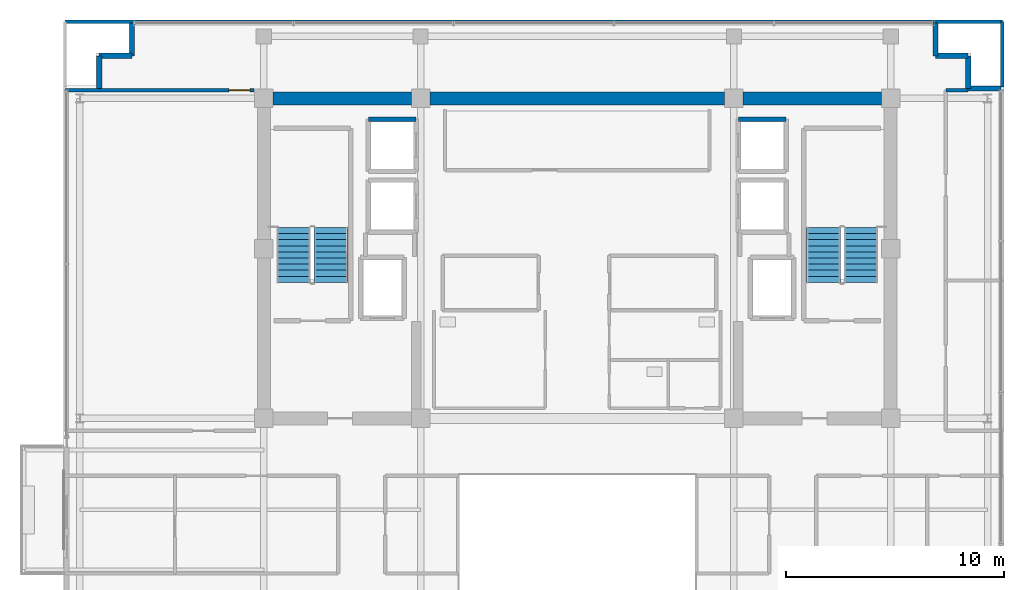
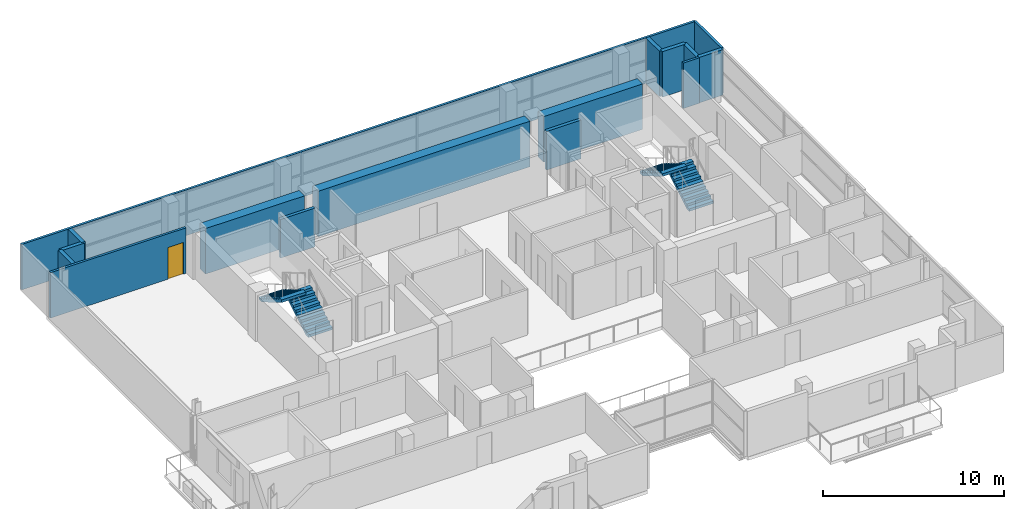
# One storey, part 18 of 22: 16 walls, 4 stair flights, 1 door, 1 opening, 2 elements without a shape of their own.
"""IFC4 building model written with IfcOpenShell, lengths in metres."""

from ifc_helpers import new_model, si_unit, direction, frame, frame_2d, origin, place, context, subcontext, project, spatial, polyline, rectangle, outline, extrude, source, transform, mapped, material, layer, layer_set, type_object, element, fill, aggregate, save


model = new_model("IFC4")

# Units and contexts
model_context = context("Model", 3, precision=1e-05, world=origin(), true_north=direction((0.0, 1.0)))
body_context = subcontext(model_context, "Body", "Model", "MODEL_VIEW")
ifc_project = project(units=[si_unit("LENGTHUNIT", "METRE"), si_unit("AREAUNIT", "SQUARE_METRE"), si_unit("VOLUMEUNIT", "CUBIC_METRE"), si_unit("PLANEANGLEUNIT", "RADIAN"), si_unit("MASSUNIT", "GRAM", prefix="KILO")], contexts=[model_context])

# Site, building, storey
site_placement = place(None, origin())
site = spatial("IfcSite", under=ifc_project, at=site_placement, CompositionType="ELEMENT")
building_placement = place(site_placement, origin())
building = spatial("IfcBuilding", under=site, at=building_placement, Name="Zarnakvel Exchange Tower", CompositionType="ELEMENT")
storey_placement = place(building_placement, frame((0.0, 0.0, 215.5)))
storey = spatial("IfcBuildingStorey", under=building, at=storey_placement, Name="L60", CompositionType="ELEMENT", Elevation=215.5)

# Walls
ifc_material_1 = material(Name="Concrete C50/60", Category="concrete")
ifc_layer_1 = layer(ifc_material_1, 0.60009765625)
ifc_layer_set_1 = layer_set([ifc_layer_1], Name="Concrete C50/60")
wall_type_1 = type_object("IfcWallType", Name="CW-C5", PredefinedType="SHEAR", material=ifc_layer_set_1)
wall_1_placement = place(storey_placement, frame((-13.97509765625, 13.5, 0.0), z_axis=(0.0, 0.0, 1.0), x_axis=(1.0, 0.0, 0.0)))
element("IfcWall", 1, at=wall_1_placement, inside=storey, type_object=wall_type_1, Name="L60 Rear Core Shear Wall N1 (CW-C5)", PredefinedType="SHEAR", context=body_context, shape_type="SweptSolid", body=[
    extrude(rectangle(XDim=6.35009765625, YDim=0.60009765625, at=frame_2d((3.175048828125, 0.0))), origin(), (0.0, 0.0, 1.0), 3.074951171875),
])
wall_2_placement = place(storey_placement, frame((-6.77490234375, 13.5, 0.0), z_axis=(0.0, 0.0, 1.0), x_axis=(1.0, 0.0, 0.0)))
element("IfcWall", 2, at=wall_2_placement, inside=storey, type_object=wall_type_1, Name="L60 Rear Core Shear Wall N2 (CW-C5)", PredefinedType="SHEAR", context=body_context, shape_type="SweptSolid", body=[
    extrude(rectangle(XDim=13.5498046875, YDim=0.60009765625, at=frame_2d((6.77490234375, 0.0))), origin(), (0.0, 0.0, 1.0), 3.074951171875),
])
wall_3_placement = place(storey_placement, frame((7.625, 13.5, 0.0), z_axis=(0.0, 0.0, 1.0), x_axis=(1.0, 0.0, 0.0)))
element("IfcWall", 3, at=wall_3_placement, inside=storey, type_object=wall_type_1, Name="L60 Rear Core Shear Wall N3 (CW-C5)", PredefinedType="SHEAR", context=body_context, shape_type="SweptSolid", body=[
    extrude(rectangle(XDim=6.35009765625, YDim=0.60009765625, at=frame_2d((3.175048828125, 0.0))), origin(), (0.0, 0.0, 1.0), 3.074951171875),
])
ifc_material_2 = material(Name="Precast concrete C40/50", Category="concrete")
ifc_layer_2 = layer(ifc_material_2, 0.239990234375)
ifc_layer_set_2 = layer_set([ifc_layer_2], Name="Precast concrete C40/50")
wall_type_2 = type_object("IfcWallType", Name="EW-02", PredefinedType="SOLIDWALL", material=ifc_layer_set_2)
for number, where, z_axis, x_axis, name in (
    (4, (-21.9599609375, 15.4599609375, 0.0), (0.0, 0.0, 1.0), (0.0, -1.0, 0.0), "L60 Exterior Precast Spandrel Wall EWC-L60-04 (EW-02)"),
    (5, (-20.4599609375, 15.4599609375, 0.0), (0.0, 0.0, 1.0), (-1.0, 0.0, 0.0), "L60 Exterior Precast Spandrel Wall EWC-L60-05 (EW-02)"),
    (6, (-20.4599609375, 16.9599609375, 0.0), (0.0, 0.0, 1.0), (0.0, -1.0, 0.0), "L60 Exterior Precast Spandrel Wall EWC-L60-06 (EW-02)"),
    (7, (16.4599609375, 15.4599609375, 0.0), (0.0, 0.0, 1.0), (0.0, 1.0, 0.0), "L60 Exterior Precast Spandrel Wall EWC-L60-07 (EW-02)"),
    (8, (17.9599609375, 15.4599609375, 0.0), (0.0, 0.0, 1.0), (-1.0, 0.0, 0.0), "L60 Exterior Precast Spandrel Wall EWC-L60-08 (EW-02)"),
    (9, (17.9599609375, 13.9599609375, 0.0), (0.0, 0.0, 1.0), (0.0, 1.0, 0.0), "L60 Exterior Precast Spandrel Wall EWC-L60-09 (EW-02)"),
    (10, (19.4599609375, 13.9599609375, 0.0), (0.0, 0.0, 1.0), (-1.0, 0.0, 0.0), "L60 Exterior Precast Spandrel Wall EWC-L60-10 (EW-02)"),
):
    element("IfcWall", number, at=place(storey_placement, frame(where, z_axis=z_axis, x_axis=x_axis)), inside=storey, type_object=wall_type_2, Name=name, PredefinedType="SOLIDWALL", context=body_context, shape_type="SweptSolid", body=[
        extrude(rectangle(XDim=1.5, YDim=0.239990234375, at=frame_2d((0.75, 0.0))), origin(), (0.0, 0.0, 1.0), 3.074951171875),
    ])

# Wall, opening, door
ifc_material_3 = material(Name="Fire-Rated Gypsum Stud Partition", Category="gypsum")
ifc_layer_3 = layer(ifc_material_3, 0.14990234375)
ifc_layer_set_3 = layer_set([ifc_layer_3], Name="Fire-Rated Gypsum Stud Partition")
wall_type_3 = type_object("IfcWallType", Name="PT-01", PredefinedType="PARTITIONING", material=ifc_layer_set_3)
wall_4_placement = place(storey_placement, frame((-23.530029296875, 13.8798828125, 0.0), z_axis=(0.0, 0.0, 1.0), x_axis=(1.0, 0.0, 0.0)))
wall_4 = element("IfcWall", 11, at=wall_4_placement, inside=storey, type_object=wall_type_3, Name="L60 Partition Wall PWALL-L60-064 (PT-01)", PredefinedType="PARTITIONING", context=body_context, shape_type="SweptSolid", body=[
    extrude(rectangle(XDim=8.68505859375, YDim=0.14990234375, at=frame_2d((4.342529296875, 0.0))), origin(), (0.0, 0.0, 1.0), 3.074951171875),
])
opening_placement = place(wall_4_placement, frame((7.52490234375, 0.0, 0.0)))
opening = element("IfcOpeningElement", 12, at=opening_placement, cuts=wall_4, Name="Opening D-L60-23", PredefinedType="OPENING", context=body_context, shape_type="SweptSolid", body=[
    extrude(rectangle(XDim=0.97998046875, YDim=2.14990234375, at=frame_2d((0.489990234375, 1.074951171875))), frame((0.0, 0.0849609375, 0.0), z_axis=(0.0, -1.0, 0.0), x_axis=(1.0, 0.0, 0.0)), (0.0, 0.0, 1.0), 0.169921875),
])
ifc_material_4 = material(Name="Timber Acoustic Veneer", Category="wood")
door_type = type_object("IfcDoorType", Name="DT-05", OperationType="NOTDEFINED", PredefinedType="DOOR", material=ifc_material_4)
shared_shape = source(origin(), body_context, "Body", "SweptSolid", [
    extrude(rectangle(XDim=0.97998046875, YDim=2.14990234375, at=frame_2d((0.489990234375, 1.074951171875))), frame((0.0, 0.02490234375, 0.0), z_axis=(0.0, -1.0, 0.0), x_axis=(1.0, 0.0, 0.0)), (0.0, 0.0, 1.0), 0.050048828125),
])
door_placement = place(opening_placement, origin())
door = element("IfcDoor", 13, at=door_placement, inside=storey, type_object=door_type, Name="L60 Settlement Office Door D-L60-23", OperationType="SINGLE_SWING_LEFT", OverallHeight=2.14990234375, OverallWidth=0.97998046875, PredefinedType="DOOR", context=body_context, shape_type="MappedRepresentation", body=[
    mapped(shared_shape, transform((0.0, 0.0, 0.0), x_axis=(1.0, 0.0, 0.0), y_axis=(0.0, 1.0, 0.0), z_axis=(0.0, 0.0, 1.0), scale=1.0)),
])
fill(opening, door)

# Walls
wall_5_placement = place(storey_placement, frame((16.929931640625, 13.8798828125, 0.0), z_axis=(0.0, 0.0, 1.0), x_axis=(1.0, 0.0, 0.0)))
element("IfcWall", 14, at=wall_5_placement, inside=storey, type_object=wall_type_3, Name="L60 Partition Wall PWALL-L60-070 (PT-01)", PredefinedType="PARTITIONING", context=body_context, shape_type="SweptSolid", body=[
    extrude(rectangle(XDim=1.030029296875, YDim=0.14990234375, at=frame_2d((0.51513671875, 0.0))), origin(), (0.0, 0.0, 1.0), 3.074951171875),
])
wall_6_placement = place(storey_placement, frame((-23.530029296875, 17.030029296875, 0.0), z_axis=(0.0, 0.0, 1.0), x_axis=(1.0, 0.0, 0.0)))
element("IfcWall", 15, at=wall_6_placement, inside=storey, type_object=wall_type_3, Name="L60 Partition Wall PWALL-L60-073 (PT-01)", PredefinedType="PARTITIONING", context=body_context, shape_type="SweptSolid", body=[
    extrude(rectangle(XDim=43.06005859375, YDim=0.14990234375, at=frame_2d((21.530029296875, 0.0))), origin(), (0.0, 0.0, 1.0), 3.074951171875),
])
wall_7_placement = place(storey_placement, frame((19.530029296875, 17.030029296875, 0.0), z_axis=(0.0, 0.0, 1.0), x_axis=(0.0, -1.0, 0.0)))
element("IfcWall", 16, at=wall_7_placement, inside=storey, type_object=wall_type_3, Name="L60 Partition Wall PWALL-L60-075 (PT-01)", PredefinedType="PARTITIONING", context=body_context, shape_type="SweptSolid", body=[
    extrude(rectangle(XDim=3.0, YDim=0.14990234375, at=frame_2d((1.5, 0.0))), origin(), (0.0, 0.0, 1.0), 3.074951171875),
])
ifc_material_5 = material(Name="Concrete C40/50", Category="concrete")
ifc_layer_4 = layer(ifc_material_5, 0.199951171875)
ifc_layer_set_4 = layer_set([ifc_layer_4], Name="Concrete C40/50")
wall_type_4 = type_object("IfcWallType", Name="SW-01", PredefinedType="SOLIDWALL", material=ifc_layer_set_4)
for number, where, z_axis, x_axis, name in (
    (17, (-9.60009765625, 12.550048828125, 0.0), (0.0, 0.0, 1.0), (1.0, 0.0, 0.0), "L60 PL-10 Hoistway Wall North"),
    (18, (7.39990234375, 12.550048828125, 0.0), (0.0, 0.0, 1.0), (1.0, 0.0, 0.0), "L60 PL-12 Hoistway Wall North"),
):
    element("IfcWall", number, at=place(storey_placement, frame(where, z_axis=z_axis, x_axis=x_axis)), inside=storey, type_object=wall_type_4, Name=name, PredefinedType="SOLIDWALL", context=body_context, shape_type="SweptSolid", body=[
        extrude(rectangle(XDim=2.2001953125, YDim=0.199951171875, at=frame_2d((1.10009765625, 0.0))), origin(), (0.0, 0.0, 1.0), 2.614990234375),
    ])

# Stair, stair flights
stair_type = type_object("IfcStairType", Name="STR-01", PredefinedType="HALF_TURN_STAIR", material=ifc_material_5)
stair_1_placement = place(storey_placement, origin())
stair_1 = element("IfcStair", 19, at=stair_1_placement, inside=storey, type_object=stair_type, Name="L60 Protected Core Exit Stair ST-01", PredefinedType="HALF_TURN_STAIR")
stair_flight_type = type_object("IfcStairFlightType", Name="FLT-01", PredefinedType="STRAIGHT", material=ifc_material_5)
stair_flight_1_placement = place(storey_placement, frame((-11.31494140625, 5.050048828125, 0.0), z_axis=(0.0, 0.0, 1.0), x_axis=(0.0, 1.0, 0.0)))
stair_flight_1 = element("IfcStairFlight", 20, at=stair_flight_1_placement, type_object=stair_flight_type, Name="ST-01 flight 1", NumberOfRisers=10, NumberOfTreads=9, PredefinedType="STRAIGHT", RiserHeight=0.165, TreadLength=0.28, context=body_context, shape_type="SweptSolid", body=[
    extrude(outline(polyline([(0.0, 0.0), (0.0, 0.1650390625), (0.280029296875, 0.1650390625), (0.280029296875, 0.330078125), (0.56005859375, 0.330078125), (0.56005859375, 0.4951171875), (0.840087890625, 0.4951171875), (0.840087890625, 0.659912109375), (1.1201171875, 0.659912109375), (1.1201171875, 0.824951171875), (1.39990234375, 0.824951171875), (1.39990234375, 0.989990234375), (1.679931640625, 0.989990234375), (1.679931640625, 1.155029296875), (1.9599609375, 1.155029296875), (1.9599609375, 1.320068359375), (2.239990234375, 1.320068359375), (2.239990234375, 1.485107421875), (2.52001953125, 1.485107421875), (2.52001953125, 1.64990234375), (2.52001953125, 1.31103515625), (0.295166015625, 0.0), (0.0, 0.0)])), frame((0.0, 0.77490234375, 0.0), z_axis=(0.0, -1.0, 0.0), x_axis=(1.0, 0.0, 0.0)), (0.0, 0.0, 1.0), 1.550048828125),
])
stair_flight_2_placement = place(storey_placement, frame((-13.02490234375, 7.570068359375, 1.64990234375), z_axis=(0.0, 0.0, 1.0), x_axis=(0.0, -1.0, 0.0)))
stair_flight_2 = element("IfcStairFlight", 21, at=stair_flight_2_placement, type_object=stair_flight_type, Name="ST-01 flight 2", NumberOfRisers=10, NumberOfTreads=9, PredefinedType="STRAIGHT", RiserHeight=0.165, TreadLength=0.28, context=body_context, shape_type="SweptSolid", body=[
    extrude(outline(polyline([(0.0, 0.0), (0.0, 0.1650390625), (0.280029296875, 0.1650390625), (0.280029296875, 0.330078125), (0.56005859375, 0.330078125), (0.56005859375, 0.4951171875), (0.840087890625, 0.4951171875), (0.840087890625, 0.659912109375), (1.1201171875, 0.659912109375), (1.1201171875, 0.824951171875), (1.39990234375, 0.824951171875), (1.39990234375, 0.989990234375), (1.679931640625, 0.989990234375), (1.679931640625, 1.155029296875), (1.9599609375, 1.155029296875), (1.9599609375, 1.320068359375), (2.239990234375, 1.320068359375), (2.239990234375, 1.485107421875), (2.52001953125, 1.485107421875), (2.52001953125, 1.64990234375), (2.52001953125, 1.31103515625), (0.295166015625, 0.0), (0.0, 0.0)])), frame((0.0, 0.77490234375, 0.0), z_axis=(0.0, -1.0, 0.0), x_axis=(1.0, 0.0, 0.0)), (0.0, 0.0, 1.0), 1.550048828125),
])
aggregate(stair_1, [stair_flight_1, stair_flight_2])

stair_2_placement = place(storey_placement, origin())
stair_2 = element("IfcStair", 22, at=stair_2_placement, inside=storey, type_object=stair_type, Name="L60 Protected Core Exit Stair ST-02", PredefinedType="HALF_TURN_STAIR")
stair_flight_3_placement = place(storey_placement, frame((13.02490234375, 5.050048828125, 0.0), z_axis=(0.0, 0.0, 1.0), x_axis=(0.0, 1.0, 0.0)))
stair_flight_3 = element("IfcStairFlight", 23, at=stair_flight_3_placement, type_object=stair_flight_type, Name="ST-02 flight 1", NumberOfRisers=10, NumberOfTreads=9, PredefinedType="STRAIGHT", RiserHeight=0.165, TreadLength=0.28, context=body_context, shape_type="SweptSolid", body=[
    extrude(outline(polyline([(0.0, 0.0), (0.0, 0.1650390625), (0.280029296875, 0.1650390625), (0.280029296875, 0.330078125), (0.56005859375, 0.330078125), (0.56005859375, 0.4951171875), (0.840087890625, 0.4951171875), (0.840087890625, 0.659912109375), (1.1201171875, 0.659912109375), (1.1201171875, 0.824951171875), (1.39990234375, 0.824951171875), (1.39990234375, 0.989990234375), (1.679931640625, 0.989990234375), (1.679931640625, 1.155029296875), (1.9599609375, 1.155029296875), (1.9599609375, 1.320068359375), (2.239990234375, 1.320068359375), (2.239990234375, 1.485107421875), (2.52001953125, 1.485107421875), (2.52001953125, 1.64990234375), (2.52001953125, 1.31103515625), (0.295166015625, 0.0), (0.0, 0.0)])), frame((0.0, 0.77490234375, 0.0), z_axis=(0.0, -1.0, 0.0), x_axis=(1.0, 0.0, 0.0)), (0.0, 0.0, 1.0), 1.550048828125),
])
stair_flight_4_placement = place(storey_placement, frame((11.31494140625, 7.570068359375, 1.64990234375), z_axis=(0.0, 0.0, 1.0), x_axis=(0.0, -1.0, 0.0)))
stair_flight_4 = element("IfcStairFlight", 24, at=stair_flight_4_placement, type_object=stair_flight_type, Name="ST-02 flight 2", NumberOfRisers=10, NumberOfTreads=9, PredefinedType="STRAIGHT", RiserHeight=0.165, TreadLength=0.28, context=body_context, shape_type="SweptSolid", body=[
    extrude(outline(polyline([(0.0, 0.0), (0.0, 0.1650390625), (0.280029296875, 0.1650390625), (0.280029296875, 0.330078125), (0.56005859375, 0.330078125), (0.56005859375, 0.4951171875), (0.840087890625, 0.4951171875), (0.840087890625, 0.659912109375), (1.1201171875, 0.659912109375), (1.1201171875, 0.824951171875), (1.39990234375, 0.824951171875), (1.39990234375, 0.989990234375), (1.679931640625, 0.989990234375), (1.679931640625, 1.155029296875), (1.9599609375, 1.155029296875), (1.9599609375, 1.320068359375), (2.239990234375, 1.320068359375), (2.239990234375, 1.485107421875), (2.52001953125, 1.485107421875), (2.52001953125, 1.64990234375), (2.52001953125, 1.31103515625), (0.295166015625, 0.0), (0.0, 0.0)])), frame((0.0, 0.77490234375, 0.0), z_axis=(0.0, -1.0, 0.0), x_axis=(1.0, 0.0, 0.0)), (0.0, 0.0, 1.0), 1.550048828125),
])
aggregate(stair_2, [stair_flight_3, stair_flight_4])

save(model, "model.ifc")
